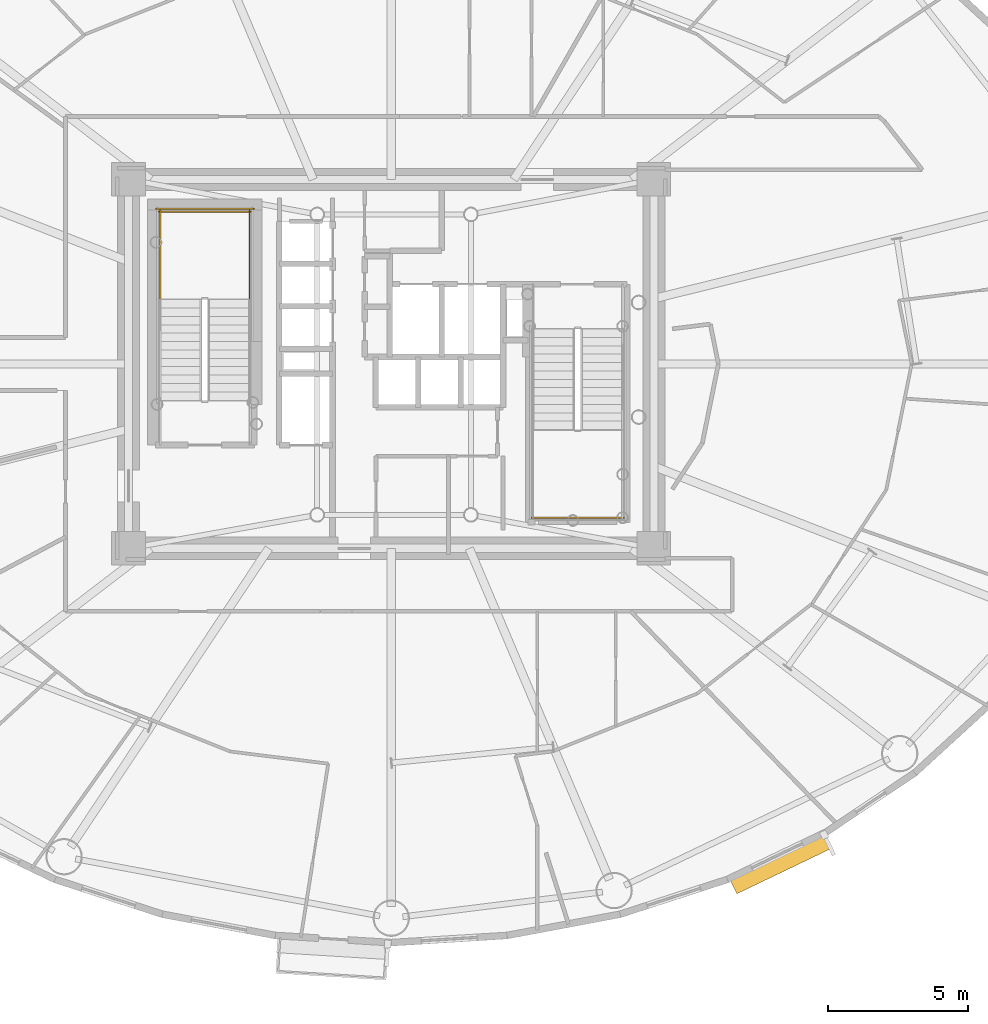
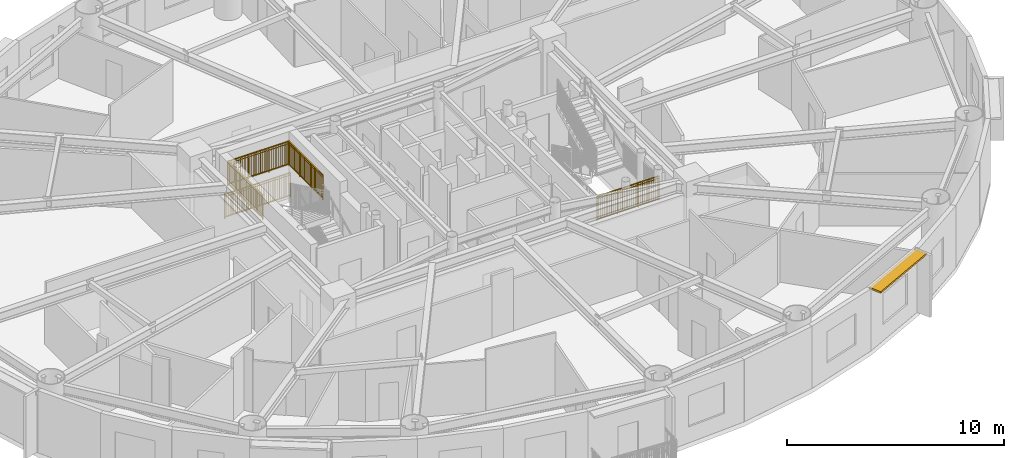
# One storey, part 17 of 19: 5 railings, 1 shading device.
"""IFC4 building model written with IfcOpenShell, lengths in metres."""

from ifc_helpers import new_model, si_unit, direction, frame, origin, origin_2d, place, context, subcontext, project, spatial, rectangle, extrude, source, transform, mapped, material, layer, layer_set, type_object, element, save


model = new_model("IFC4")

# Units and contexts
model_context = context("Model", 3, precision=1e-05, world=origin(), true_north=direction((0.0, 1.0)))
body_context = subcontext(model_context, "Body", "Model", "MODEL_VIEW")
ifc_project = project(units=[si_unit("LENGTHUNIT", "METRE"), si_unit("AREAUNIT", "SQUARE_METRE"), si_unit("VOLUMEUNIT", "CUBIC_METRE"), si_unit("PLANEANGLEUNIT", "RADIAN"), si_unit("MASSUNIT", "GRAM", prefix="KILO")], contexts=[model_context])

# Site, building, storey
site_placement = place(None, origin())
site = spatial("IfcSite", under=ifc_project, at=site_placement, CompositionType="ELEMENT")
building_placement = place(site_placement, origin())
building = spatial("IfcBuilding", under=site, at=building_placement, Name="Linh Dai School and Residence Tower", CompositionType="ELEMENT")
storey_placement = place(building_placement, frame((0.0, 0.0, 193.64990234375)))
storey = spatial("IfcBuildingStorey", under=building, at=storey_placement, Name="L47", CompositionType="ELEMENT", Elevation=193.64990234375)

# Shading device
ifc_material_1 = material(Name="Terracotta Ceramic Sunshade", Category="masonry")
ifc_layer = layer(ifc_material_1, 0.10009765625)
ifc_layer_set = layer_set([ifc_layer], Name="Terracotta Ceramic Sunshade")
shading_device_type = type_object("IfcShadingDeviceType", Name="SHD-TC-650", PredefinedType="USERDEFINED", material=ifc_layer_set)
shared_shape_1 = source(origin(), body_context, "Body", "SweptSolid", [
    extrude(rectangle(XDim=3.773193359375, YDim=0.64990234375, at=origin_2d()), origin(), (0.0, 0.0, 1.0), 0.10009765625),
])
shading_device_placement = place(storey_placement, frame((49.9248046875, 9.149658203125, 3.380126953125), z_axis=(0.0, 0.0, 1.0), x_axis=(-0.901569306779, -0.432634701653, 0.0)))
element("IfcShadingDevice", 1, at=shading_device_placement, inside=storey, type_object=shading_device_type, Name="L47 Terracotta Horizontal Sunshade Band 34", ObjectType="SUNSHADE", PredefinedType="USERDEFINED", context=body_context, shape_type="MappedRepresentation", body=[
    mapped(shared_shape_1, transform((0.0, 0.0, 0.0), x_axis=(1.0, 0.0, 0.0), y_axis=(0.0, 1.0, 0.0), z_axis=(0.0, 0.0, 1.0), scale=1.0)),
])

# Railings
ifc_material_2 = material(Name="Structural Steel S355JR", Category="steel")
railing_type = type_object("IfcRailingType", Name="RL-ST-GUARD-1400", PredefinedType="GUARDRAIL", material=ifc_material_2)
shared_shape_2 = source(origin(), body_context, "Body", "SweptSolid", [
    extrude(rectangle(XDim=0.048095703125, YDim=0.048095703125, at=origin_2d()), frame((0.0, 0.0, 1.3759765625), z_axis=(-1.0, 0.0, 0.0), x_axis=(0.0, -1.0, 0.0)), (0.0, 0.0, 1.0), 3.300048828125),
    extrude(rectangle(XDim=0.048095703125, YDim=0.048095703125, at=origin_2d()), frame((0.0, 0.0, 0.10009765625), z_axis=(-1.0, 0.0, 0.0), x_axis=(0.0, -1.0, 0.0)), (0.0, 0.0, 1.0), 3.300048828125),
    extrude(rectangle(XDim=0.030029296875, YDim=0.030029296875, at=origin_2d()), frame((0.0, 0.0, 1.239990234375), z_axis=(-1.0, 0.0, 0.0), x_axis=(0.0, -1.0, 0.0)), (0.0, 0.0, 1.0), 3.300048828125),
    extrude(rectangle(XDim=0.02001953125, YDim=0.02001953125, at=origin_2d()), frame((-0.09716796875, 0.0, 0.10009765625)), (0.0, 0.0, 1.0), 1.251708984375),
    extrude(rectangle(XDim=0.02001953125, YDim=0.02001953125, at=origin_2d()), frame((-0.194091796875, 0.0, 0.10009765625)), (0.0, 0.0, 1.0), 1.251708984375),
    extrude(rectangle(XDim=0.02001953125, YDim=0.02001953125, at=origin_2d()), frame((-0.291259765625, 0.0, 0.10009765625)), (0.0, 0.0, 1.0), 1.251708984375),
    extrude(rectangle(XDim=0.02001953125, YDim=0.02001953125, at=origin_2d()), frame((-0.38818359375, 0.0, 0.10009765625)), (0.0, 0.0, 1.0), 1.251708984375),
    extrude(rectangle(XDim=0.02001953125, YDim=0.02001953125, at=origin_2d()), frame((-0.4853515625, 0.0, 0.10009765625)), (0.0, 0.0, 1.0), 1.251708984375),
    extrude(rectangle(XDim=0.02001953125, YDim=0.02001953125, at=origin_2d()), frame((-0.582275390625, 0.0, 0.10009765625)), (0.0, 0.0, 1.0), 1.251708984375),
    extrude(rectangle(XDim=0.02001953125, YDim=0.02001953125, at=origin_2d()), frame((-0.679443359375, 0.0, 0.10009765625)), (0.0, 0.0, 1.0), 1.251708984375),
    extrude(rectangle(XDim=0.02001953125, YDim=0.02001953125, at=origin_2d()), frame((-0.7763671875, 0.0, 0.10009765625)), (0.0, 0.0, 1.0), 1.251708984375),
    extrude(rectangle(XDim=0.02001953125, YDim=0.02001953125, at=origin_2d()), frame((-0.87353515625, 0.0, 0.10009765625)), (0.0, 0.0, 1.0), 1.251708984375),
    extrude(rectangle(XDim=0.02001953125, YDim=0.02001953125, at=origin_2d()), frame((-0.970703125, 0.0, 0.10009765625)), (0.0, 0.0, 1.0), 1.251708984375),
    extrude(rectangle(XDim=0.02001953125, YDim=0.02001953125, at=origin_2d()), frame((-1.164794921875, 0.0, 0.10009765625)), (0.0, 0.0, 1.0), 1.251708984375),
    extrude(rectangle(XDim=0.02001953125, YDim=0.02001953125, at=origin_2d()), frame((-1.26171875, 0.0, 0.10009765625)), (0.0, 0.0, 1.0), 1.251708984375),
    extrude(rectangle(XDim=0.02001953125, YDim=0.02001953125, at=origin_2d()), frame((-1.35888671875, 0.0, 0.10009765625)), (0.0, 0.0, 1.0), 1.251708984375),
    extrude(rectangle(XDim=0.02001953125, YDim=0.02001953125, at=origin_2d()), frame((-1.455810546875, 0.0, 0.10009765625)), (0.0, 0.0, 1.0), 1.251708984375),
    extrude(rectangle(XDim=0.02001953125, YDim=0.02001953125, at=origin_2d()), frame((-1.552978515625, 0.0, 0.10009765625)), (0.0, 0.0, 1.0), 1.251708984375),
    extrude(rectangle(XDim=0.02001953125, YDim=0.02001953125, at=origin_2d()), frame((-1.64990234375, 0.0, 0.10009765625)), (0.0, 0.0, 1.0), 1.251708984375),
    extrude(rectangle(XDim=0.02001953125, YDim=0.02001953125, at=origin_2d()), frame((-1.7470703125, 0.0, 0.10009765625)), (0.0, 0.0, 1.0), 1.251708984375),
    extrude(rectangle(XDim=0.02001953125, YDim=0.02001953125, at=origin_2d()), frame((-1.84423828125, 0.0, 0.10009765625)), (0.0, 0.0, 1.0), 1.251708984375),
    extrude(rectangle(XDim=0.02001953125, YDim=0.02001953125, at=origin_2d()), frame((-1.941162109375, 0.0, 0.10009765625)), (0.0, 0.0, 1.0), 1.251708984375),
    extrude(rectangle(XDim=0.02001953125, YDim=0.02001953125, at=origin_2d()), frame((-2.038330078125, 0.0, 0.10009765625)), (0.0, 0.0, 1.0), 1.251708984375),
    extrude(rectangle(XDim=0.02001953125, YDim=0.02001953125, at=origin_2d()), frame((-2.13525390625, 0.0, 0.10009765625)), (0.0, 0.0, 1.0), 1.251708984375),
    extrude(rectangle(XDim=0.02001953125, YDim=0.02001953125, at=origin_2d()), frame((-2.329345703125, 0.0, 0.10009765625)), (0.0, 0.0, 1.0), 1.251708984375),
    extrude(rectangle(XDim=0.02001953125, YDim=0.02001953125, at=origin_2d()), frame((-2.426513671875, 0.0, 0.10009765625)), (0.0, 0.0, 1.0), 1.251708984375),
    extrude(rectangle(XDim=0.02001953125, YDim=0.02001953125, at=origin_2d()), frame((-2.523681640625, 0.0, 0.10009765625)), (0.0, 0.0, 1.0), 1.251708984375),
    extrude(rectangle(XDim=0.02001953125, YDim=0.02001953125, at=origin_2d()), frame((-2.62060546875, 0.0, 0.10009765625)), (0.0, 0.0, 1.0), 1.251708984375),
    extrude(rectangle(XDim=0.02001953125, YDim=0.02001953125, at=origin_2d()), frame((-2.7177734375, 0.0, 0.10009765625)), (0.0, 0.0, 1.0), 1.251708984375),
    extrude(rectangle(XDim=0.02001953125, YDim=0.02001953125, at=origin_2d()), frame((-2.814697265625, 0.0, 0.10009765625)), (0.0, 0.0, 1.0), 1.251708984375),
    extrude(rectangle(XDim=0.02001953125, YDim=0.02001953125, at=origin_2d()), frame((-2.911865234375, 0.0, 0.10009765625)), (0.0, 0.0, 1.0), 1.251708984375),
    extrude(rectangle(XDim=0.02001953125, YDim=0.02001953125, at=origin_2d()), frame((-3.0087890625, 0.0, 0.10009765625)), (0.0, 0.0, 1.0), 1.251708984375),
    extrude(rectangle(XDim=0.02001953125, YDim=0.02001953125, at=origin_2d()), frame((-3.10595703125, 0.0, 0.10009765625)), (0.0, 0.0, 1.0), 1.251708984375),
    extrude(rectangle(XDim=0.02001953125, YDim=0.02001953125, at=origin_2d()), frame((-3.202880859375, 0.0, 0.10009765625)), (0.0, 0.0, 1.0), 1.251708984375),
    extrude(rectangle(XDim=0.0419921875, YDim=0.0419921875, at=origin_2d()), origin(), (0.0, 0.0, 1.0), 1.3759765625),
    extrude(rectangle(XDim=0.0419921875, YDim=0.0419921875, at=origin_2d()), frame((-1.10009765625, 0.0, 0.0)), (0.0, 0.0, 1.0), 1.3759765625),
    extrude(rectangle(XDim=0.0419921875, YDim=0.0419921875, at=origin_2d()), frame((-2.199951171875, 0.0, 0.0)), (0.0, 0.0, 1.0), 1.3759765625),
    extrude(rectangle(XDim=0.0419921875, YDim=0.0419921875, at=origin_2d()), frame((-3.300048828125, 0.0, 0.0)), (0.0, 0.0, 1.0), 1.3759765625),
])
railing_1_placement = place(storey_placement, frame((30.97998046875, 32.449951171875, 1.875)))
element("IfcRailing", 2, at=railing_1_placement, inside=storey, type_object=railing_type, Name="L47 ST1 stair guard 5", PredefinedType="GUARDRAIL", context=body_context, shape_type="MappedRepresentation", body=[
    mapped(shared_shape_2, transform((0.0, 0.0, 0.0), x_axis=(1.0, 0.0, 0.0), y_axis=(0.0, 1.0, 0.0), z_axis=(0.0, 0.0, 1.0), scale=1.0)),
])
shared_shape_3 = source(origin(), body_context, "Body", "SweptSolid", [
    extrude(rectangle(XDim=0.048095703125, YDim=0.048095703125, at=origin_2d()), frame((0.0, 0.0, 1.3759765625), z_axis=(-1.0, 0.0, 0.0), x_axis=(0.0, -1.0, 0.0)), (0.0, 0.0, 1.0), 3.5),
    extrude(rectangle(XDim=0.048095703125, YDim=0.048095703125, at=origin_2d()), frame((0.0, 0.0, 0.10009765625), z_axis=(-1.0, 0.0, 0.0), x_axis=(0.0, -1.0, 0.0)), (0.0, 0.0, 1.0), 3.5),
    extrude(rectangle(XDim=0.030029296875, YDim=0.030029296875, at=origin_2d()), frame((0.0, 0.0, 1.239990234375), z_axis=(-1.0, 0.0, 0.0), x_axis=(0.0, -1.0, 0.0)), (0.0, 0.0, 1.0), 3.5),
    extrude(rectangle(XDim=0.02001953125, YDim=0.02001953125, at=origin_2d()), frame((-0.09716796875, 0.0, 0.10009765625)), (0.0, 0.0, 1.0), 1.251708984375),
    extrude(rectangle(XDim=0.02001953125, YDim=0.02001953125, at=origin_2d()), frame((-0.1943359375, 0.0, 0.10009765625)), (0.0, 0.0, 1.0), 1.251708984375),
    extrude(rectangle(XDim=0.02001953125, YDim=0.02001953125, at=origin_2d()), frame((-0.291748046875, 0.0, 0.10009765625)), (0.0, 0.0, 1.0), 1.251708984375),
    extrude(rectangle(XDim=0.02001953125, YDim=0.02001953125, at=origin_2d()), frame((-0.388916015625, 0.0, 0.10009765625)), (0.0, 0.0, 1.0), 1.251708984375),
    extrude(rectangle(XDim=0.02001953125, YDim=0.02001953125, at=origin_2d()), frame((-0.486083984375, 0.0, 0.10009765625)), (0.0, 0.0, 1.0), 1.251708984375),
    extrude(rectangle(XDim=0.02001953125, YDim=0.02001953125, at=origin_2d()), frame((-0.583251953125, 0.0, 0.10009765625)), (0.0, 0.0, 1.0), 1.251708984375),
    extrude(rectangle(XDim=0.02001953125, YDim=0.02001953125, at=origin_2d()), frame((-0.6806640625, 0.0, 0.10009765625)), (0.0, 0.0, 1.0), 1.251708984375),
    extrude(rectangle(XDim=0.02001953125, YDim=0.02001953125, at=origin_2d()), frame((-0.77783203125, 0.0, 0.10009765625)), (0.0, 0.0, 1.0), 1.251708984375),
    extrude(rectangle(XDim=0.02001953125, YDim=0.02001953125, at=origin_2d()), frame((-0.875, 0.0, 0.10009765625)), (0.0, 0.0, 1.0), 1.251708984375),
    extrude(rectangle(XDim=0.02001953125, YDim=0.02001953125, at=origin_2d()), frame((-0.97216796875, 0.0, 0.10009765625)), (0.0, 0.0, 1.0), 1.251708984375),
    extrude(rectangle(XDim=0.02001953125, YDim=0.02001953125, at=origin_2d()), frame((-1.0693359375, 0.0, 0.10009765625)), (0.0, 0.0, 1.0), 1.251708984375),
    extrude(rectangle(XDim=0.02001953125, YDim=0.02001953125, at=origin_2d()), frame((-1.263916015625, 0.0, 0.10009765625)), (0.0, 0.0, 1.0), 1.251708984375),
    extrude(rectangle(XDim=0.02001953125, YDim=0.02001953125, at=origin_2d()), frame((-1.361083984375, 0.0, 0.10009765625)), (0.0, 0.0, 1.0), 1.251708984375),
    extrude(rectangle(XDim=0.02001953125, YDim=0.02001953125, at=origin_2d()), frame((-1.458251953125, 0.0, 0.10009765625)), (0.0, 0.0, 1.0), 1.251708984375),
    extrude(rectangle(XDim=0.02001953125, YDim=0.02001953125, at=origin_2d()), frame((-1.5556640625, 0.0, 0.10009765625)), (0.0, 0.0, 1.0), 1.251708984375),
    extrude(rectangle(XDim=0.02001953125, YDim=0.02001953125, at=origin_2d()), frame((-1.65283203125, 0.0, 0.10009765625)), (0.0, 0.0, 1.0), 1.251708984375),
    extrude(rectangle(XDim=0.02001953125, YDim=0.02001953125, at=origin_2d()), frame((-1.75, 0.0, 0.10009765625)), (0.0, 0.0, 1.0), 1.251708984375),
    extrude(rectangle(XDim=0.02001953125, YDim=0.02001953125, at=origin_2d()), frame((-1.84716796875, 0.0, 0.10009765625)), (0.0, 0.0, 1.0), 1.251708984375),
    extrude(rectangle(XDim=0.02001953125, YDim=0.02001953125, at=origin_2d()), frame((-1.9443359375, 0.0, 0.10009765625)), (0.0, 0.0, 1.0), 1.251708984375),
    extrude(rectangle(XDim=0.02001953125, YDim=0.02001953125, at=origin_2d()), frame((-2.041748046875, 0.0, 0.10009765625)), (0.0, 0.0, 1.0), 1.251708984375),
    extrude(rectangle(XDim=0.02001953125, YDim=0.02001953125, at=origin_2d()), frame((-2.138916015625, 0.0, 0.10009765625)), (0.0, 0.0, 1.0), 1.251708984375),
    extrude(rectangle(XDim=0.02001953125, YDim=0.02001953125, at=origin_2d()), frame((-2.236083984375, 0.0, 0.10009765625)), (0.0, 0.0, 1.0), 1.251708984375),
    extrude(rectangle(XDim=0.02001953125, YDim=0.02001953125, at=origin_2d()), frame((-2.4306640625, 0.0, 0.10009765625)), (0.0, 0.0, 1.0), 1.251708984375),
    extrude(rectangle(XDim=0.02001953125, YDim=0.02001953125, at=origin_2d()), frame((-2.52783203125, 0.0, 0.10009765625)), (0.0, 0.0, 1.0), 1.251708984375),
    extrude(rectangle(XDim=0.02001953125, YDim=0.02001953125, at=origin_2d()), frame((-2.625, 0.0, 0.10009765625)), (0.0, 0.0, 1.0), 1.251708984375),
    extrude(rectangle(XDim=0.02001953125, YDim=0.02001953125, at=origin_2d()), frame((-2.72216796875, 0.0, 0.10009765625)), (0.0, 0.0, 1.0), 1.251708984375),
    extrude(rectangle(XDim=0.02001953125, YDim=0.02001953125, at=origin_2d()), frame((-2.8193359375, 0.0, 0.10009765625)), (0.0, 0.0, 1.0), 1.251708984375),
    extrude(rectangle(XDim=0.02001953125, YDim=0.02001953125, at=origin_2d()), frame((-2.916748046875, 0.0, 0.10009765625)), (0.0, 0.0, 1.0), 1.251708984375),
    extrude(rectangle(XDim=0.02001953125, YDim=0.02001953125, at=origin_2d()), frame((-3.013916015625, 0.0, 0.10009765625)), (0.0, 0.0, 1.0), 1.251708984375),
    extrude(rectangle(XDim=0.02001953125, YDim=0.02001953125, at=origin_2d()), frame((-3.111083984375, 0.0, 0.10009765625)), (0.0, 0.0, 1.0), 1.251708984375),
    extrude(rectangle(XDim=0.02001953125, YDim=0.02001953125, at=origin_2d()), frame((-3.208251953125, 0.0, 0.10009765625)), (0.0, 0.0, 1.0), 1.251708984375),
    extrude(rectangle(XDim=0.02001953125, YDim=0.02001953125, at=origin_2d()), frame((-3.3056640625, 0.0, 0.10009765625)), (0.0, 0.0, 1.0), 1.251708984375),
    extrude(rectangle(XDim=0.02001953125, YDim=0.02001953125, at=origin_2d()), frame((-3.40283203125, 0.0, 0.10009765625)), (0.0, 0.0, 1.0), 1.251708984375),
    extrude(rectangle(XDim=0.0419921875, YDim=0.0419921875, at=origin_2d()), origin(), (0.0, 0.0, 1.0), 1.3759765625),
    extrude(rectangle(XDim=0.0419921875, YDim=0.0419921875, at=origin_2d()), frame((-1.166748046875, 0.0, 0.0)), (0.0, 0.0, 1.0), 1.3759765625),
    extrude(rectangle(XDim=0.0419921875, YDim=0.0419921875, at=origin_2d()), frame((-2.333251953125, 0.0, 0.0)), (0.0, 0.0, 1.0), 1.3759765625),
    extrude(rectangle(XDim=0.0419921875, YDim=0.0419921875, at=origin_2d()), frame((-3.5, 0.0, 0.0)), (0.0, 0.0, 1.0), 1.3759765625),
])
railing_2_placement = place(storey_placement, frame((31.080078125, 32.550048828125, 0.0)))
element("IfcRailing", 3, at=railing_2_placement, inside=storey, type_object=railing_type, Name="L47 ST1 stair guard 12", PredefinedType="GUARDRAIL", context=body_context, shape_type="MappedRepresentation", body=[
    mapped(shared_shape_3, transform((0.0, 0.0, 0.0), x_axis=(1.0, 0.0, 0.0), y_axis=(0.0, 1.0, 0.0), z_axis=(0.0, 0.0, 1.0), scale=1.0)),
])
shared_shape_4 = source(origin(), body_context, "Body", "SweptSolid", [
    extrude(rectangle(XDim=0.048095703125, YDim=0.048095703125, at=origin_2d()), frame((0.0, 0.0, 1.3759765625), z_axis=(0.0, 1.0, 0.0), x_axis=(-1.0, 0.0, 0.0)), (0.0, 0.0, 1.0), 3.199951171875),
    extrude(rectangle(XDim=0.048095703125, YDim=0.048095703125, at=origin_2d()), frame((0.0, 0.0, 0.10009765625), z_axis=(0.0, 1.0, 0.0), x_axis=(-1.0, 0.0, 0.0)), (0.0, 0.0, 1.0), 3.199951171875),
    extrude(rectangle(XDim=0.030029296875, YDim=0.030029296875, at=origin_2d()), frame((0.0, 0.0, 1.239990234375), z_axis=(0.0, 1.0, 0.0), x_axis=(-1.0, 0.0, 0.0)), (0.0, 0.0, 1.0), 3.199951171875),
    extrude(rectangle(XDim=0.02001953125, YDim=0.02001953125, at=origin_2d()), frame((0.0, 0.096923828125, 0.10009765625)), (0.0, 0.0, 1.0), 1.251708984375),
    extrude(rectangle(XDim=0.02001953125, YDim=0.02001953125, at=origin_2d()), frame((0.0, 0.19384765625, 0.10009765625)), (0.0, 0.0, 1.0), 1.251708984375),
    extrude(rectangle(XDim=0.02001953125, YDim=0.02001953125, at=origin_2d()), frame((0.0, 0.291015625, 0.10009765625)), (0.0, 0.0, 1.0), 1.251708984375),
    extrude(rectangle(XDim=0.02001953125, YDim=0.02001953125, at=origin_2d()), frame((0.0, 0.387939453125, 0.10009765625)), (0.0, 0.0, 1.0), 1.251708984375),
    extrude(rectangle(XDim=0.02001953125, YDim=0.02001953125, at=origin_2d()), frame((0.0, 0.48486328125, 0.10009765625)), (0.0, 0.0, 1.0), 1.251708984375),
    extrude(rectangle(XDim=0.02001953125, YDim=0.02001953125, at=origin_2d()), frame((0.0, 0.581787109375, 0.10009765625)), (0.0, 0.0, 1.0), 1.251708984375),
    extrude(rectangle(XDim=0.02001953125, YDim=0.02001953125, at=origin_2d()), frame((0.0, 0.6787109375, 0.10009765625)), (0.0, 0.0, 1.0), 1.251708984375),
    extrude(rectangle(XDim=0.02001953125, YDim=0.02001953125, at=origin_2d()), frame((0.0, 0.775634765625, 0.10009765625)), (0.0, 0.0, 1.0), 1.251708984375),
    extrude(rectangle(XDim=0.02001953125, YDim=0.02001953125, at=origin_2d()), frame((0.0, 0.872802734375, 0.10009765625)), (0.0, 0.0, 1.0), 1.251708984375),
    extrude(rectangle(XDim=0.02001953125, YDim=0.02001953125, at=origin_2d()), frame((0.0, 0.9697265625, 0.10009765625)), (0.0, 0.0, 1.0), 1.251708984375),
    extrude(rectangle(XDim=0.02001953125, YDim=0.02001953125, at=origin_2d()), frame((0.0, 1.16357421875, 0.10009765625)), (0.0, 0.0, 1.0), 1.251708984375),
    extrude(rectangle(XDim=0.02001953125, YDim=0.02001953125, at=origin_2d()), frame((0.0, 1.260498046875, 0.10009765625)), (0.0, 0.0, 1.0), 1.251708984375),
    extrude(rectangle(XDim=0.02001953125, YDim=0.02001953125, at=origin_2d()), frame((0.0, 1.357666015625, 0.10009765625)), (0.0, 0.0, 1.0), 1.251708984375),
    extrude(rectangle(XDim=0.02001953125, YDim=0.02001953125, at=origin_2d()), frame((0.0, 1.45458984375, 0.10009765625)), (0.0, 0.0, 1.0), 1.251708984375),
    extrude(rectangle(XDim=0.02001953125, YDim=0.02001953125, at=origin_2d()), frame((0.0, 1.551513671875, 0.10009765625)), (0.0, 0.0, 1.0), 1.251708984375),
    extrude(rectangle(XDim=0.02001953125, YDim=0.02001953125, at=origin_2d()), frame((0.0, 1.6484375, 0.10009765625)), (0.0, 0.0, 1.0), 1.251708984375),
    extrude(rectangle(XDim=0.02001953125, YDim=0.02001953125, at=origin_2d()), frame((0.0, 1.745361328125, 0.10009765625)), (0.0, 0.0, 1.0), 1.251708984375),
    extrude(rectangle(XDim=0.02001953125, YDim=0.02001953125, at=origin_2d()), frame((0.0, 1.84228515625, 0.10009765625)), (0.0, 0.0, 1.0), 1.251708984375),
    extrude(rectangle(XDim=0.02001953125, YDim=0.02001953125, at=origin_2d()), frame((0.0, 1.939453125, 0.10009765625)), (0.0, 0.0, 1.0), 1.251708984375),
    extrude(rectangle(XDim=0.02001953125, YDim=0.02001953125, at=origin_2d()), frame((0.0, 2.036376953125, 0.10009765625)), (0.0, 0.0, 1.0), 1.251708984375),
    extrude(rectangle(XDim=0.02001953125, YDim=0.02001953125, at=origin_2d()), frame((0.0, 2.230224609375, 0.10009765625)), (0.0, 0.0, 1.0), 1.251708984375),
    extrude(rectangle(XDim=0.02001953125, YDim=0.02001953125, at=origin_2d()), frame((0.0, 2.3271484375, 0.10009765625)), (0.0, 0.0, 1.0), 1.251708984375),
    extrude(rectangle(XDim=0.02001953125, YDim=0.02001953125, at=origin_2d()), frame((0.0, 2.42431640625, 0.10009765625)), (0.0, 0.0, 1.0), 1.251708984375),
    extrude(rectangle(XDim=0.02001953125, YDim=0.02001953125, at=origin_2d()), frame((0.0, 2.521240234375, 0.10009765625)), (0.0, 0.0, 1.0), 1.251708984375),
    extrude(rectangle(XDim=0.02001953125, YDim=0.02001953125, at=origin_2d()), frame((0.0, 2.6181640625, 0.10009765625)), (0.0, 0.0, 1.0), 1.251708984375),
    extrude(rectangle(XDim=0.02001953125, YDim=0.02001953125, at=origin_2d()), frame((0.0, 2.715087890625, 0.10009765625)), (0.0, 0.0, 1.0), 1.251708984375),
    extrude(rectangle(XDim=0.02001953125, YDim=0.02001953125, at=origin_2d()), frame((0.0, 2.81201171875, 0.10009765625)), (0.0, 0.0, 1.0), 1.251708984375),
    extrude(rectangle(XDim=0.02001953125, YDim=0.02001953125, at=origin_2d()), frame((0.0, 2.908935546875, 0.10009765625)), (0.0, 0.0, 1.0), 1.251708984375),
    extrude(rectangle(XDim=0.02001953125, YDim=0.02001953125, at=origin_2d()), frame((0.0, 3.006103515625, 0.10009765625)), (0.0, 0.0, 1.0), 1.251708984375),
    extrude(rectangle(XDim=0.02001953125, YDim=0.02001953125, at=origin_2d()), frame((0.0, 3.10302734375, 0.10009765625)), (0.0, 0.0, 1.0), 1.251708984375),
    extrude(rectangle(XDim=0.0419921875, YDim=0.0419921875, at=origin_2d()), origin(), (0.0, 0.0, 1.0), 1.3759765625),
    extrude(rectangle(XDim=0.0419921875, YDim=0.0419921875, at=origin_2d()), frame((0.0, 1.066650390625, 0.0)), (0.0, 0.0, 1.0), 1.3759765625),
    extrude(rectangle(XDim=0.0419921875, YDim=0.0419921875, at=origin_2d()), frame((0.0, 2.13330078125, 0.0)), (0.0, 0.0, 1.0), 1.3759765625),
    extrude(rectangle(XDim=0.0419921875, YDim=0.0419921875, at=origin_2d()), frame((0.0, 3.199951171875, 0.0)), (0.0, 0.0, 1.0), 1.3759765625),
])
for number, where, name in (
    (4, (30.929931640625, 29.300048828125, 1.875), "L47 ST1 stair guard 3"),
    (5, (27.72998046875, 29.300048828125, 1.875), "L47 ST1 stair guard 4"),
):
    element("IfcRailing", number, at=place(storey_placement, frame(where)), inside=storey, type_object=railing_type, Name=name, PredefinedType="GUARDRAIL", context=body_context, shape_type="MappedRepresentation", body=[
        mapped(shared_shape_4, transform((0.0, 0.0, 0.0), x_axis=(1.0, 0.0, 0.0), y_axis=(0.0, 1.0, 0.0), z_axis=(0.0, 0.0, 1.0), scale=1.0)),
    ])
shared_shape_5 = source(origin(), body_context, "Body", "SweptSolid", [
    extrude(rectangle(XDim=0.048095703125, YDim=0.048095703125, at=origin_2d()), frame((0.0, 0.0, 1.3759765625), z_axis=(1.0, 0.0, 0.0), x_axis=(0.0, 1.0, 0.0)), (0.0, 0.0, 1.0), 3.300048828125),
    extrude(rectangle(XDim=0.048095703125, YDim=0.048095703125, at=origin_2d()), frame((0.0, 0.0, 0.10009765625), z_axis=(1.0, 0.0, 0.0), x_axis=(0.0, 1.0, 0.0)), (0.0, 0.0, 1.0), 3.300048828125),
    extrude(rectangle(XDim=0.030029296875, YDim=0.030029296875, at=origin_2d()), frame((0.0, 0.0, 1.239990234375), z_axis=(1.0, 0.0, 0.0), x_axis=(0.0, 1.0, 0.0)), (0.0, 0.0, 1.0), 3.300048828125),
    extrude(rectangle(XDim=0.02001953125, YDim=0.02001953125, at=origin_2d()), frame((0.09716796875, 0.0, 0.10009765625)), (0.0, 0.0, 1.0), 1.251708984375),
    extrude(rectangle(XDim=0.02001953125, YDim=0.02001953125, at=origin_2d()), frame((0.194091796875, 0.0, 0.10009765625)), (0.0, 0.0, 1.0), 1.251708984375),
    extrude(rectangle(XDim=0.02001953125, YDim=0.02001953125, at=origin_2d()), frame((0.291259765625, 0.0, 0.10009765625)), (0.0, 0.0, 1.0), 1.251708984375),
    extrude(rectangle(XDim=0.02001953125, YDim=0.02001953125, at=origin_2d()), frame((0.38818359375, 0.0, 0.10009765625)), (0.0, 0.0, 1.0), 1.251708984375),
    extrude(rectangle(XDim=0.02001953125, YDim=0.02001953125, at=origin_2d()), frame((0.4853515625, 0.0, 0.10009765625)), (0.0, 0.0, 1.0), 1.251708984375),
    extrude(rectangle(XDim=0.02001953125, YDim=0.02001953125, at=origin_2d()), frame((0.582275390625, 0.0, 0.10009765625)), (0.0, 0.0, 1.0), 1.251708984375),
    extrude(rectangle(XDim=0.02001953125, YDim=0.02001953125, at=origin_2d()), frame((0.679443359375, 0.0, 0.10009765625)), (0.0, 0.0, 1.0), 1.251708984375),
    extrude(rectangle(XDim=0.02001953125, YDim=0.02001953125, at=origin_2d()), frame((0.7763671875, 0.0, 0.10009765625)), (0.0, 0.0, 1.0), 1.251708984375),
    extrude(rectangle(XDim=0.02001953125, YDim=0.02001953125, at=origin_2d()), frame((0.87353515625, 0.0, 0.10009765625)), (0.0, 0.0, 1.0), 1.251708984375),
    extrude(rectangle(XDim=0.02001953125, YDim=0.02001953125, at=origin_2d()), frame((0.970703125, 0.0, 0.10009765625)), (0.0, 0.0, 1.0), 1.251708984375),
    extrude(rectangle(XDim=0.02001953125, YDim=0.02001953125, at=origin_2d()), frame((1.164794921875, 0.0, 0.10009765625)), (0.0, 0.0, 1.0), 1.251708984375),
    extrude(rectangle(XDim=0.02001953125, YDim=0.02001953125, at=origin_2d()), frame((1.26171875, 0.0, 0.10009765625)), (0.0, 0.0, 1.0), 1.251708984375),
    extrude(rectangle(XDim=0.02001953125, YDim=0.02001953125, at=origin_2d()), frame((1.35888671875, 0.0, 0.10009765625)), (0.0, 0.0, 1.0), 1.251708984375),
    extrude(rectangle(XDim=0.02001953125, YDim=0.02001953125, at=origin_2d()), frame((1.455810546875, 0.0, 0.10009765625)), (0.0, 0.0, 1.0), 1.251708984375),
    extrude(rectangle(XDim=0.02001953125, YDim=0.02001953125, at=origin_2d()), frame((1.552978515625, 0.0, 0.10009765625)), (0.0, 0.0, 1.0), 1.251708984375),
    extrude(rectangle(XDim=0.02001953125, YDim=0.02001953125, at=origin_2d()), frame((1.64990234375, 0.0, 0.10009765625)), (0.0, 0.0, 1.0), 1.251708984375),
    extrude(rectangle(XDim=0.02001953125, YDim=0.02001953125, at=origin_2d()), frame((1.7470703125, 0.0, 0.10009765625)), (0.0, 0.0, 1.0), 1.251708984375),
    extrude(rectangle(XDim=0.02001953125, YDim=0.02001953125, at=origin_2d()), frame((1.84423828125, 0.0, 0.10009765625)), (0.0, 0.0, 1.0), 1.251708984375),
    extrude(rectangle(XDim=0.02001953125, YDim=0.02001953125, at=origin_2d()), frame((1.941162109375, 0.0, 0.10009765625)), (0.0, 0.0, 1.0), 1.251708984375),
    extrude(rectangle(XDim=0.02001953125, YDim=0.02001953125, at=origin_2d()), frame((2.038330078125, 0.0, 0.10009765625)), (0.0, 0.0, 1.0), 1.251708984375),
    extrude(rectangle(XDim=0.02001953125, YDim=0.02001953125, at=origin_2d()), frame((2.13525390625, 0.0, 0.10009765625)), (0.0, 0.0, 1.0), 1.251708984375),
    extrude(rectangle(XDim=0.02001953125, YDim=0.02001953125, at=origin_2d()), frame((2.329345703125, 0.0, 0.10009765625)), (0.0, 0.0, 1.0), 1.251708984375),
    extrude(rectangle(XDim=0.02001953125, YDim=0.02001953125, at=origin_2d()), frame((2.426513671875, 0.0, 0.10009765625)), (0.0, 0.0, 1.0), 1.251708984375),
    extrude(rectangle(XDim=0.02001953125, YDim=0.02001953125, at=origin_2d()), frame((2.523681640625, 0.0, 0.10009765625)), (0.0, 0.0, 1.0), 1.251708984375),
    extrude(rectangle(XDim=0.02001953125, YDim=0.02001953125, at=origin_2d()), frame((2.62060546875, 0.0, 0.10009765625)), (0.0, 0.0, 1.0), 1.251708984375),
    extrude(rectangle(XDim=0.02001953125, YDim=0.02001953125, at=origin_2d()), frame((2.7177734375, 0.0, 0.10009765625)), (0.0, 0.0, 1.0), 1.251708984375),
    extrude(rectangle(XDim=0.02001953125, YDim=0.02001953125, at=origin_2d()), frame((2.814697265625, 0.0, 0.10009765625)), (0.0, 0.0, 1.0), 1.251708984375),
    extrude(rectangle(XDim=0.02001953125, YDim=0.02001953125, at=origin_2d()), frame((2.911865234375, 0.0, 0.10009765625)), (0.0, 0.0, 1.0), 1.251708984375),
    extrude(rectangle(XDim=0.02001953125, YDim=0.02001953125, at=origin_2d()), frame((3.0087890625, 0.0, 0.10009765625)), (0.0, 0.0, 1.0), 1.251708984375),
    extrude(rectangle(XDim=0.02001953125, YDim=0.02001953125, at=origin_2d()), frame((3.10595703125, 0.0, 0.10009765625)), (0.0, 0.0, 1.0), 1.251708984375),
    extrude(rectangle(XDim=0.02001953125, YDim=0.02001953125, at=origin_2d()), frame((3.202880859375, 0.0, 0.10009765625)), (0.0, 0.0, 1.0), 1.251708984375),
    extrude(rectangle(XDim=0.0419921875, YDim=0.0419921875, at=origin_2d()), origin(), (0.0, 0.0, 1.0), 1.3759765625),
    extrude(rectangle(XDim=0.0419921875, YDim=0.0419921875, at=origin_2d()), frame((1.10009765625, 0.0, 0.0)), (0.0, 0.0, 1.0), 1.3759765625),
    extrude(rectangle(XDim=0.0419921875, YDim=0.0419921875, at=origin_2d()), frame((2.199951171875, 0.0, 0.0)), (0.0, 0.0, 1.0), 1.3759765625),
    extrude(rectangle(XDim=0.0419921875, YDim=0.0419921875, at=origin_2d()), frame((3.300048828125, 0.0, 0.0)), (0.0, 0.0, 1.0), 1.3759765625),
])
railing_3_placement = place(storey_placement, frame((41.02001953125, 21.5, 1.875)))
element("IfcRailing", 6, at=railing_3_placement, inside=storey, type_object=railing_type, Name="L47 ST2 stair guard 5", PredefinedType="GUARDRAIL", context=body_context, shape_type="MappedRepresentation", body=[
    mapped(shared_shape_5, transform((0.0, 0.0, 0.0), x_axis=(1.0, 0.0, 0.0), y_axis=(0.0, 1.0, 0.0), z_axis=(0.0, 0.0, 1.0), scale=1.0)),
])

save(model, "model.ifc")
